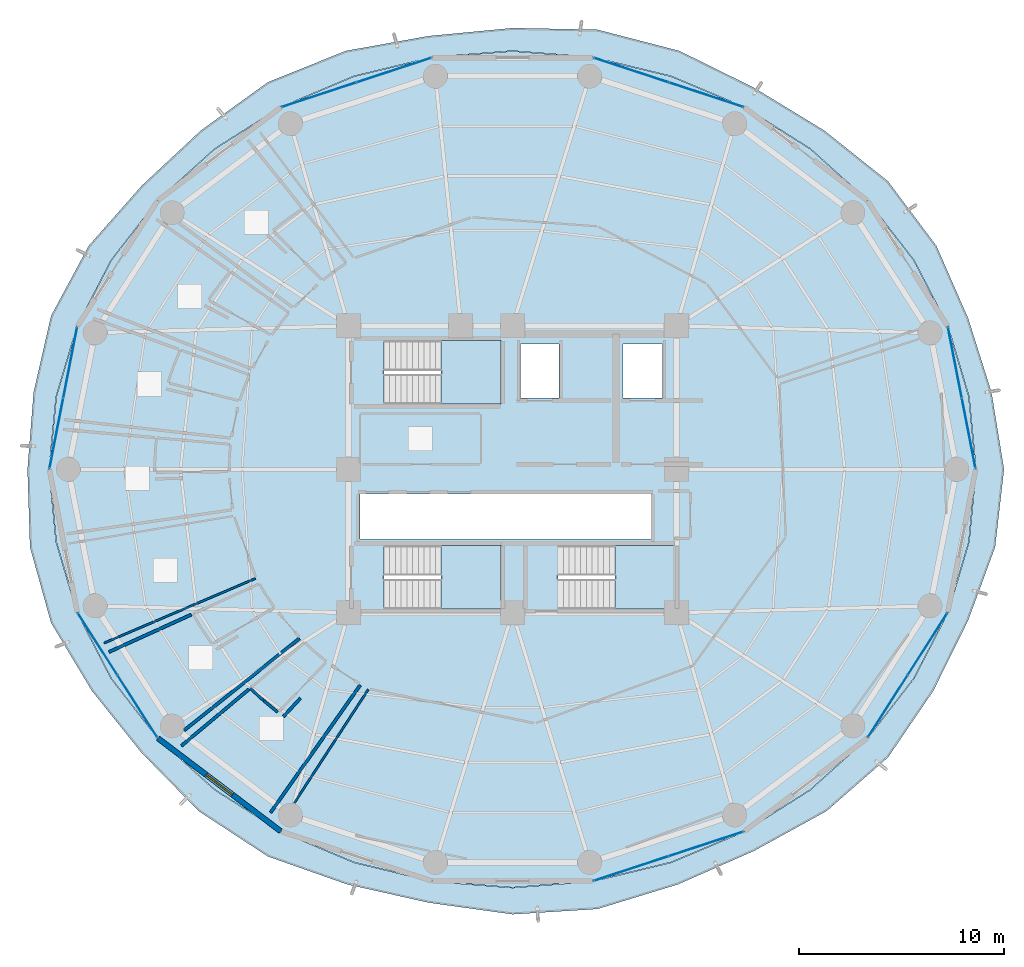
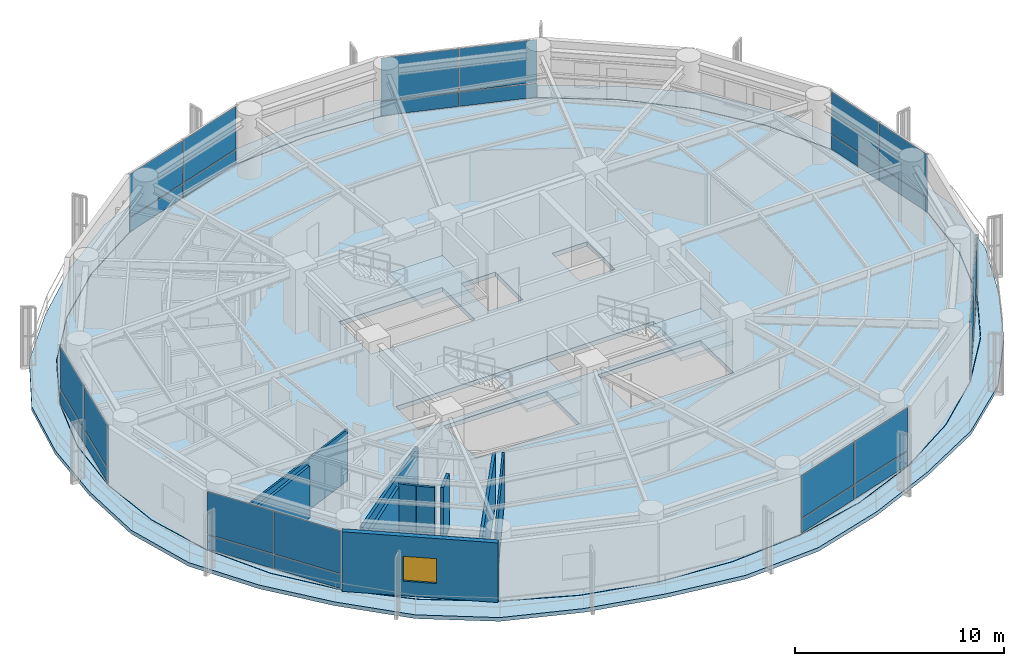
# One storey, part 20 of 27: 28 plates, 10 walls, 5 slabs, 1 window, 1 opening, 10 elements without a shape of their own.
"""IFC4 building model written with IfcOpenShell, lengths in metres."""

from ifc_helpers import new_model, si_unit, direction, frame, frame_2d, origin, origin_2d, place, context, subcontext, project, spatial, polyline, rectangle, outline, extrude, source, transform, mapped, material, layer, layer_set, type_object, element, fill, aggregate, save


model = new_model("IFC4")

# Units and contexts
model_context = context("Model", 3, precision=1e-05, world=origin(), true_north=direction((0.0, 1.0)))
body_context = subcontext(model_context, "Body", "Model", "MODEL_VIEW")
ifc_project = project(units=[si_unit("LENGTHUNIT", "METRE"), si_unit("AREAUNIT", "SQUARE_METRE"), si_unit("VOLUMEUNIT", "CUBIC_METRE"), si_unit("PLANEANGLEUNIT", "RADIAN"), si_unit("MASSUNIT", "GRAM", prefix="KILO")], contexts=[model_context])

# Site, building, storey
site_placement = place(None, origin())
site = spatial("IfcSite", under=ifc_project, at=site_placement, CompositionType="ELEMENT")
building_placement = place(site_placement, origin())
building = spatial("IfcBuilding", under=site, at=building_placement, Name="Kelanora Arch Commons", CompositionType="ELEMENT")
storey_placement = place(building_placement, frame((0.0, 0.0, 173.10009765625)))
storey = spatial("IfcBuildingStorey", under=building, at=storey_placement, Name="L44", CompositionType="ELEMENT", Elevation=173.10009765625)

# Stair, slab
ifc_material_1 = material(Name="Concrete C40/50", Category="concrete")
stair_type = type_object("IfcStairType", Name="STR-DL-375", PredefinedType="HALF_TURN_STAIR", material=ifc_material_1)
stair_1_placement = place(storey_placement, origin())
stair_1 = element("IfcStair", 1, at=stair_1_placement, inside=storey, type_object=stair_type, Name="L44 ST-T1", PredefinedType="HALF_TURN_STAIR")
ifc_layer_1 = layer(ifc_material_1, 0.199951171875)
ifc_layer_set_1 = layer_set([ifc_layer_1], Name="Concrete C40/50")
slab_type_1 = type_object("IfcSlabType", Name="SLB-STAIR-LND", PredefinedType="LANDING", material=ifc_layer_set_1)
slab_1_placement = place(storey_placement, frame((0.0, 0.0, 1.6748046875)))
slab_1 = element("IfcSlab", 2, at=slab_1_placement, type_object=slab_type_1, Name="ST-T1 landing 1", PredefinedType="LANDING", context=body_context, shape_type="SweptSolid", body=[
    extrude(outline(polyline([(70.52001953125, 61.179931640625), (73.43994140625, 61.179931640625), (73.43994140625, 64.2900390625), (70.52001953125, 64.2900390625), (70.52001953125, 61.179931640625)])), origin(), (0.0, 0.0, 1.0), 0.2001953125),
])
aggregate(stair_1, [slab_1])

stair_2_placement = place(storey_placement, origin())
stair_2 = element("IfcStair", 3, at=stair_2_placement, inside=storey, type_object=stair_type, Name="L44 ST-T2", PredefinedType="HALF_TURN_STAIR")
slab_2_placement = place(storey_placement, frame((0.0, 0.0, 1.6748046875)))
slab_2 = element("IfcSlab", 4, at=slab_2_placement, type_object=slab_type_1, Name="ST-T2 landing 1", PredefinedType="LANDING", context=body_context, shape_type="SweptSolid", body=[
    extrude(outline(polyline([(79.0, 51.179931640625), (81.919921875, 51.179931640625), (81.919921875, 54.2900390625), (79.0, 54.2900390625), (79.0, 51.179931640625)])), origin(), (0.0, 0.0, 1.0), 0.2001953125),
])
aggregate(stair_2, [slab_2])

stair_3_placement = place(storey_placement, origin())
stair_3 = element("IfcStair", 5, at=stair_3_placement, inside=storey, type_object=stair_type, Name="L44 ST-T3", PredefinedType="HALF_TURN_STAIR")
slab_3_placement = place(storey_placement, frame((0.0, 0.0, 1.6748046875)))
slab_3 = element("IfcSlab", 6, at=slab_3_placement, type_object=slab_type_1, Name="ST-T3 landing 1", PredefinedType="LANDING", context=body_context, shape_type="SweptSolid", body=[
    extrude(outline(polyline([(70.52001953125, 51.179931640625), (73.43994140625, 51.179931640625), (73.43994140625, 54.2900390625), (70.52001953125, 54.2900390625), (70.52001953125, 51.179931640625)])), origin(), (0.0, 0.0, 1.0), 0.2001953125),
])
aggregate(stair_3, [slab_3])

# Slabs
ifc_layer_2 = layer(ifc_material_1, 0.260009765625)
ifc_layer_set_2 = layer_set([ifc_layer_2], Name="Concrete C40/50")
slab_type_2 = type_object("IfcSlabType", Name="SLB-TWR-TYP", PredefinedType="FLOOR", material=ifc_layer_set_2)
slab_4_placement = place(storey_placement, frame((0.0, 0.0, -0.260009765625)))
element("IfcSlab", 7, at=slab_4_placement, inside=storey, type_object=slab_type_2, Name="Tower Floor Slab L44", PredefinedType="FLOOR", context=body_context, shape_type="SweptSolid", body=[
    extrude(outline(polyline([(96.60009765625, 58.0), (96.256591796875, 61.54248046875), (95.237060546875, 64.977294921875), (93.572265625, 68.199951171875), (91.3125, 71.11279296875), (88.527099609375, 73.627197265625), (85.300048828125, 75.6669921875), (81.729736328125, 77.169677734375), (77.92431640625, 78.090087890625), (74.0, 78.39990234375), (70.07568359375, 78.090087890625), (66.270263671875, 77.169677734375), (62.699951171875, 75.6669921875), (59.472900390625, 73.627197265625), (56.6875, 71.11279296875), (54.427734375, 68.199951171875), (52.762939453125, 64.977294921875), (51.743408203125, 61.54248046875), (51.39990234375, 58.0), (51.743408203125, 54.45751953125), (52.762939453125, 51.022705078125), (54.427734375, 47.800048828125), (56.6875, 44.88720703125), (59.472900390625, 42.372802734375), (62.699951171875, 40.3330078125), (66.270263671875, 38.830322265625), (70.07568359375, 37.909912109375), (74.0, 37.60009765625), (77.92431640625, 37.909912109375), (81.729736328125, 38.830322265625), (85.300048828125, 40.3330078125), (88.527099609375, 42.372802734375), (91.3125, 44.88720703125), (93.572265625, 47.800048828125), (95.237060546875, 51.022705078125), (96.256591796875, 54.45751953125), (96.60009765625, 58.0)]), holes=[polyline([(73.431884765625, 51.18798828125), (67.72802734375, 51.18798828125), (67.72802734375, 54.281982421875), (73.431884765625, 54.281982421875), (73.431884765625, 51.18798828125)]), polyline([(76.2080078125, 51.18798828125), (76.2080078125, 54.281982421875), (81.912109375, 54.281982421875), (81.912109375, 51.18798828125), (76.2080078125, 51.18798828125)]), polyline([(66.550048828125, 54.60009765625), (66.550048828125, 56.800048828125), (80.75, 56.800048828125), (80.75, 54.60009765625), (66.550048828125, 54.60009765625)]), polyline([(73.431884765625, 61.18798828125), (67.72802734375, 61.18798828125), (67.72802734375, 64.281982421875), (73.431884765625, 64.281982421875), (73.431884765625, 61.18798828125)]), polyline([(74.3798828125, 61.47998046875), (74.3798828125, 64.1201171875), (76.260009765625, 64.1201171875), (76.260009765625, 61.47998046875), (74.3798828125, 61.47998046875)]), polyline([(79.3798828125, 61.47998046875), (79.3798828125, 64.1201171875), (81.320068359375, 64.1201171875), (81.320068359375, 61.47998046875), (79.3798828125, 61.47998046875)])]), origin(), (0.0, 0.0, 1.0), 0.260009765625),
])
ifc_layer_3 = layer(ifc_material_1, 0.219970703125)
ifc_layer_set_3 = layer_set([ifc_layer_3], Name="Concrete C40/50")
slab_type_3 = type_object("IfcSlabType", Name="SLB-WAVE-BAL", PredefinedType="FLOOR", material=ifc_layer_set_3)
slab_5_placement = place(storey_placement, frame((0.0, 0.0, -0.22021484375)))
element("IfcSlab", 8, at=slab_5_placement, inside=storey, type_object=slab_type_3, Name="Sinusoidal Wave Balcony Slab L44", PredefinedType="FLOOR", context=body_context, shape_type="SweptSolid", body=[
    extrude(outline(polyline([(97.978515625, 58.0), (97.3681640625, 61.759521484375), (96.226318359375, 65.376220703125), (94.677734375, 68.9072265625), (92.322265625, 72.05126953125), (89.210693359375, 74.530029296875), (85.79296875, 76.61279296875), (82.139404296875, 78.41650390625), (78.14111328125, 79.451416015625), (74.0, 79.532470703125), (69.907958984375, 79.143310546875), (65.860595703125, 78.41650390625), (62.06298828125, 76.889404296875), (58.789306640625, 74.530029296875), (55.90625, 71.839111328125), (53.322265625, 68.9072265625), (51.484619140625, 65.49267578125), (50.6318359375, 61.759521484375), (50.33349609375, 58.0), (50.455078125, 54.205810546875), (51.484619140625, 50.50732421875), (53.473876953125, 47.189697265625), (55.90625, 44.160888671875), (58.6806640625, 41.326416015625), (62.06298828125, 39.110595703125), (65.9169921875, 37.75439453125), (69.907958984375, 36.856689453125), (74.0, 36.28759765625), (78.14111328125, 36.548583984375), (82.0830078125, 37.75439453125), (85.79296875, 39.38720703125), (89.3193359375, 41.326416015625), (92.322265625, 43.94873046875), (94.526123046875, 47.189697265625), (96.226318359375, 50.623779296875), (97.544921875, 54.205810546875), (97.978515625, 58.0)]), holes=[polyline([(96.2763671875, 54.4541015625), (95.255859375, 51.015869140625), (93.589599609375, 47.7900390625), (91.327880859375, 44.874267578125), (88.539794921875, 42.357421875), (85.31005859375, 40.31591796875), (81.736572265625, 38.8115234375), (77.927978515625, 37.89013671875), (74.0, 37.580078125), (70.072021484375, 37.89013671875), (66.263427734375, 38.8115234375), (62.68994140625, 40.31591796875), (59.460205078125, 42.357421875), (56.672119140625, 44.874267578125), (54.410400390625, 47.7900390625), (52.744140625, 51.015869140625), (51.7236328125, 54.4541015625), (51.3798828125, 58.0), (51.7236328125, 61.5458984375), (52.744140625, 64.984130859375), (54.410400390625, 68.2099609375), (56.672119140625, 71.125732421875), (59.460205078125, 73.642578125), (62.68994140625, 75.68408203125), (66.263427734375, 77.1884765625), (70.072021484375, 78.10986328125), (74.0, 78.419921875), (77.927978515625, 78.10986328125), (81.736572265625, 77.1884765625), (85.31005859375, 75.68408203125), (88.539794921875, 73.642578125), (91.327880859375, 71.125732421875), (93.589599609375, 68.2099609375), (95.255859375, 64.984130859375), (96.2763671875, 61.5458984375), (96.6201171875, 58.0), (96.2763671875, 54.4541015625)])]), origin(), (0.0, 0.0, 1.0), 0.22021484375),
])

# Curtain wall, plates
ifc_material_2 = material(Name="Terracotta ceramic-fritted low-E glass and aluminium", Category="masonry")
ifc_layer_4 = layer(ifc_material_2, 0.175048828125)
ifc_layer_set_4 = layer_set([ifc_layer_4], Name="Terracotta ceramic-fritted low-E glass and aluminium")
curtain_wall_type = type_object("IfcCurtainWallType", Name="CW-SYS-02", PredefinedType="NOTDEFINED", material=ifc_layer_set_4)
curtain_wall_1_placement = place(storey_placement, origin())
curtain_wall_1 = element("IfcCurtainWall", 9, at=curtain_wall_1_placement, inside=storey, type_object=curtain_wall_type, Name="Unitised Curtain Wall L44-B00", PredefinedType="NOTDEFINED")
ifc_material_3 = material(Name="Terracotta ceramic-fritted double glazing", Category="masonry")
ifc_layer_5 = layer(ifc_material_3, 0.028076171875)
ifc_layer_set_5 = layer_set([ifc_layer_5], Name="Terracotta ceramic-fritted double glazing")
plate_type = type_object("IfcPlateType", Name="CWP-FRIT", PredefinedType="CURTAIN_PANEL", material=ifc_layer_set_5)
shared_shape_1 = source(origin(), body_context, "Body", "SweptSolid", [
    extrude(rectangle(XDim=3.449462890625, YDim=0.028076171875, at=origin_2d()), origin(), (0.0, 0.0, 1.0), 0.81005859375),
])
plate_1_placement = place(storey_placement, frame((96.2548828125, 59.766357421875, 0.059814453125), z_axis=(0.0, 0.0, 1.0), x_axis=(-0.191705182375, 0.981452557718, 0.0)))
plate_1 = element("IfcPlate", 10, at=plate_1_placement, type_object=plate_type, Name="CW-02 panel 1.1", PredefinedType="CURTAIN_PANEL", context=body_context, shape_type="MappedRepresentation", body=[
    mapped(shared_shape_1, transform((0.0, 0.0, 0.0), scale=1.0)),
])
plate_2_placement = place(storey_placement, frame((95.58203125, 63.2109375, 0.059814453125), z_axis=(0.0, 0.0, 1.0), x_axis=(-0.191705182375, 0.981452557718, 0.0)))
plate_2 = element("IfcPlate", 11, at=plate_2_placement, type_object=plate_type, Name="CW-02 panel 2.1", PredefinedType="CURTAIN_PANEL", context=body_context, shape_type="MappedRepresentation", body=[
    mapped(shared_shape_1, transform((0.0, 0.0, 0.0), scale=1.0)),
])

curtain_wall_2_placement = place(storey_placement, origin())
curtain_wall_2 = element("IfcCurtainWall", 12, at=curtain_wall_2_placement, inside=storey, type_object=curtain_wall_type, Name="Unitised Curtain Wall L44-B08", PredefinedType="NOTDEFINED")
plate_3_placement = place(storey_placement, frame((52.41796875, 63.2109375, 0.059814453125), z_axis=(0.0, 0.0, 1.0), x_axis=(-0.191705182375, -0.981452557718, 0.0)))
plate_3 = element("IfcPlate", 13, at=plate_3_placement, type_object=plate_type, Name="CW-02 panel 1.1", PredefinedType="CURTAIN_PANEL", context=body_context, shape_type="MappedRepresentation", body=[
    mapped(shared_shape_1, transform((0.0, 0.0, 0.0), scale=1.0)),
])
plate_4_placement = place(storey_placement, frame((51.7451171875, 59.766357421875, 0.059814453125), z_axis=(0.0, 0.0, 1.0), x_axis=(-0.191705182375, -0.981452557718, 0.0)))
plate_4 = element("IfcPlate", 14, at=plate_4_placement, type_object=plate_type, Name="CW-02 panel 2.1", PredefinedType="CURTAIN_PANEL", context=body_context, shape_type="MappedRepresentation", body=[
    mapped(shared_shape_1, transform((0.0, 0.0, 0.0), scale=1.0)),
])

# Plate
shared_shape_2 = source(origin(), body_context, "Body", "SweptSolid", [
    extrude(rectangle(XDim=3.449462890625, YDim=0.028076171875, at=origin_2d()), origin(), (0.0, 0.0, 1.0), 2.485107421875),
])
plate_5_placement = place(storey_placement, frame((96.2548828125, 59.766357421875, 0.9296875), z_axis=(0.0, 0.0, 1.0), x_axis=(-0.191705182375, 0.981452557718, 0.0)))
plate_5 = element("IfcPlate", 15, at=plate_5_placement, type_object=plate_type, Name="CW-02 panel 1.2", PredefinedType="CURTAIN_PANEL", context=body_context, shape_type="MappedRepresentation", body=[
    mapped(shared_shape_2, transform((0.0, 0.0, 0.0), scale=1.0)),
])

plate_6_placement = place(storey_placement, frame((95.58203125, 63.2109375, 0.9296875), z_axis=(0.0, 0.0, 1.0), x_axis=(-0.191705182375, 0.981452557718, 0.0)))
plate_6 = element("IfcPlate", 16, at=plate_6_placement, type_object=plate_type, Name="CW-02 panel 2.2", PredefinedType="CURTAIN_PANEL", context=body_context, shape_type="MappedRepresentation", body=[
    mapped(shared_shape_2, transform((0.0, 0.0, 0.0), scale=1.0)),
])

aggregate(curtain_wall_1, [plate_1, plate_5, plate_2, plate_6])

plate_7_placement = place(storey_placement, frame((52.41796875, 63.2109375, 0.9296875), z_axis=(0.0, 0.0, 1.0), x_axis=(-0.191705182375, -0.981452557718, 0.0)))
plate_7 = element("IfcPlate", 17, at=plate_7_placement, type_object=plate_type, Name="CW-02 panel 1.2", PredefinedType="CURTAIN_PANEL", context=body_context, shape_type="MappedRepresentation", body=[
    mapped(shared_shape_2, transform((0.0, 0.0, 0.0), scale=1.0)),
])

plate_8_placement = place(storey_placement, frame((51.7451171875, 59.766357421875, 0.9296875), z_axis=(0.0, 0.0, 1.0), x_axis=(-0.191705182375, -0.981452557718, 0.0)))
plate_8 = element("IfcPlate", 18, at=plate_8_placement, type_object=plate_type, Name="CW-02 panel 2.2", PredefinedType="CURTAIN_PANEL", context=body_context, shape_type="MappedRepresentation", body=[
    mapped(shared_shape_2, transform((0.0, 0.0, 0.0), scale=1.0)),
])

aggregate(curtain_wall_2, [plate_3, plate_7, plate_4, plate_8])

# Curtain wall, plates
curtain_wall_3_placement = place(storey_placement, origin())
curtain_wall_3 = element("IfcCurtainWall", 19, at=curtain_wall_3_placement, inside=storey, type_object=curtain_wall_type, Name="Unitised Curtain Wall L44-B03", PredefinedType="NOTDEFINED")
shared_shape_3 = source(origin(), body_context, "Body", "SweptSolid", [
    extrude(rectangle(XDim=3.776611328125, YDim=0.028076171875, at=origin_2d()), origin(), (0.0, 0.0, 1.0), 0.81005859375),
])
plate_9_placement = place(storey_placement, frame((83.434814453125, 76.27978515625, 0.059814453125), z_axis=(0.0, 0.0, 1.0), x_axis=(-0.95003996605, 0.312128279571, 0.0)))
plate_9 = element("IfcPlate", 20, at=plate_9_placement, type_object=plate_type, Name="CW-02 panel 1.1", PredefinedType="CURTAIN_PANEL", context=body_context, shape_type="MappedRepresentation", body=[
    mapped(shared_shape_3, transform((0.0, 0.0, 0.0), scale=1.0)),
])
plate_10_placement = place(storey_placement, frame((79.789794921875, 77.477294921875, 0.059814453125), z_axis=(0.0, 0.0, 1.0), x_axis=(-0.95003996605, 0.312128279571, 0.0)))
plate_10 = element("IfcPlate", 21, at=plate_10_placement, type_object=plate_type, Name="CW-02 panel 2.1", PredefinedType="CURTAIN_PANEL", context=body_context, shape_type="MappedRepresentation", body=[
    mapped(shared_shape_3, transform((0.0, 0.0, 0.0), scale=1.0)),
])

curtain_wall_4_placement = place(storey_placement, origin())
curtain_wall_4 = element("IfcCurtainWall", 22, at=curtain_wall_4_placement, inside=storey, type_object=curtain_wall_type, Name="Unitised Curtain Wall L44-B05", PredefinedType="NOTDEFINED")
plate_11_placement = place(storey_placement, frame((68.210205078125, 77.477294921875, 0.059814453125), z_axis=(0.0, 0.0, 1.0), x_axis=(-0.95003996605, -0.312128279571, 0.0)))
plate_11 = element("IfcPlate", 23, at=plate_11_placement, type_object=plate_type, Name="CW-02 panel 1.1", PredefinedType="CURTAIN_PANEL", context=body_context, shape_type="MappedRepresentation", body=[
    mapped(shared_shape_3, transform((0.0, 0.0, 0.0), scale=1.0)),
])
plate_12_placement = place(storey_placement, frame((64.565185546875, 76.27978515625, 0.059814453125), z_axis=(0.0, 0.0, 1.0), x_axis=(-0.95003996605, -0.312128279571, 0.0)))
plate_12 = element("IfcPlate", 24, at=plate_12_placement, type_object=plate_type, Name="CW-02 panel 2.1", PredefinedType="CURTAIN_PANEL", context=body_context, shape_type="MappedRepresentation", body=[
    mapped(shared_shape_3, transform((0.0, 0.0, 0.0), scale=1.0)),
])

curtain_wall_5_placement = place(storey_placement, origin())
curtain_wall_5 = element("IfcCurtainWall", 25, at=curtain_wall_5_placement, inside=storey, type_object=curtain_wall_type, Name="Unitised Curtain Wall L44-B14", PredefinedType="NOTDEFINED")
plate_13_placement = place(storey_placement, frame((79.789794921875, 38.522705078125, 0.059814453125), z_axis=(0.0, 0.0, 1.0), x_axis=(0.95003996605, 0.312128279571, 0.0)))
plate_13 = element("IfcPlate", 26, at=plate_13_placement, type_object=plate_type, Name="CW-02 panel 1.1", PredefinedType="CURTAIN_PANEL", context=body_context, shape_type="MappedRepresentation", body=[
    mapped(shared_shape_3, transform((0.0, 0.0, 0.0), scale=1.0)),
])
plate_14_placement = place(storey_placement, frame((83.434814453125, 39.72021484375, 0.059814453125), z_axis=(0.0, 0.0, 1.0), x_axis=(0.95003996605, 0.312128279571, 0.0)))
plate_14 = element("IfcPlate", 27, at=plate_14_placement, type_object=plate_type, Name="CW-02 panel 2.1", PredefinedType="CURTAIN_PANEL", context=body_context, shape_type="MappedRepresentation", body=[
    mapped(shared_shape_3, transform((0.0, 0.0, 0.0), scale=1.0)),
])

# Plate
shared_shape_4 = source(origin(), body_context, "Body", "SweptSolid", [
    extrude(rectangle(XDim=3.776611328125, YDim=0.028076171875, at=origin_2d()), origin(), (0.0, 0.0, 1.0), 2.485107421875),
])
plate_15_placement = place(storey_placement, frame((83.434814453125, 76.27978515625, 0.9296875), z_axis=(0.0, 0.0, 1.0), x_axis=(-0.95003996605, 0.312128279571, 0.0)))
plate_15 = element("IfcPlate", 28, at=plate_15_placement, type_object=plate_type, Name="CW-02 panel 1.2", PredefinedType="CURTAIN_PANEL", context=body_context, shape_type="MappedRepresentation", body=[
    mapped(shared_shape_4, transform((0.0, 0.0, 0.0), scale=1.0)),
])

plate_16_placement = place(storey_placement, frame((79.789794921875, 77.477294921875, 0.9296875), z_axis=(0.0, 0.0, 1.0), x_axis=(-0.95003996605, 0.312128279571, 0.0)))
plate_16 = element("IfcPlate", 29, at=plate_16_placement, type_object=plate_type, Name="CW-02 panel 2.2", PredefinedType="CURTAIN_PANEL", context=body_context, shape_type="MappedRepresentation", body=[
    mapped(shared_shape_4, transform((0.0, 0.0, 0.0), scale=1.0)),
])

aggregate(curtain_wall_3, [plate_9, plate_15, plate_10, plate_16])

plate_17_placement = place(storey_placement, frame((68.210205078125, 77.477294921875, 0.9296875), z_axis=(0.0, 0.0, 1.0), x_axis=(-0.95003996605, -0.312128279571, 0.0)))
plate_17 = element("IfcPlate", 30, at=plate_17_placement, type_object=plate_type, Name="CW-02 panel 1.2", PredefinedType="CURTAIN_PANEL", context=body_context, shape_type="MappedRepresentation", body=[
    mapped(shared_shape_4, transform((0.0, 0.0, 0.0), scale=1.0)),
])

plate_18_placement = place(storey_placement, frame((64.565185546875, 76.27978515625, 0.9296875), z_axis=(0.0, 0.0, 1.0), x_axis=(-0.95003996605, -0.312128279571, 0.0)))
plate_18 = element("IfcPlate", 31, at=plate_18_placement, type_object=plate_type, Name="CW-02 panel 2.2", PredefinedType="CURTAIN_PANEL", context=body_context, shape_type="MappedRepresentation", body=[
    mapped(shared_shape_4, transform((0.0, 0.0, 0.0), scale=1.0)),
])

aggregate(curtain_wall_4, [plate_11, plate_17, plate_12, plate_18])

plate_19_placement = place(storey_placement, frame((79.789794921875, 38.522705078125, 0.9296875), z_axis=(0.0, 0.0, 1.0), x_axis=(0.95003996605, 0.312128279571, 0.0)))
plate_19 = element("IfcPlate", 32, at=plate_19_placement, type_object=plate_type, Name="CW-02 panel 1.2", PredefinedType="CURTAIN_PANEL", context=body_context, shape_type="MappedRepresentation", body=[
    mapped(shared_shape_4, transform((0.0, 0.0, 0.0), scale=1.0)),
])

plate_20_placement = place(storey_placement, frame((83.434814453125, 39.72021484375, 0.9296875), z_axis=(0.0, 0.0, 1.0), x_axis=(0.95003996605, 0.312128279571, 0.0)))
plate_20 = element("IfcPlate", 33, at=plate_20_placement, type_object=plate_type, Name="CW-02 panel 2.2", PredefinedType="CURTAIN_PANEL", context=body_context, shape_type="MappedRepresentation", body=[
    mapped(shared_shape_4, transform((0.0, 0.0, 0.0), scale=1.0)),
])

aggregate(curtain_wall_5, [plate_13, plate_19, plate_14, plate_20])

# Curtain wall, plates
curtain_wall_6_placement = place(storey_placement, origin())
curtain_wall_6 = element("IfcCurtainWall", 34, at=curtain_wall_6_placement, inside=storey, type_object=curtain_wall_type, Name="Unitised Curtain Wall L44-B10", PredefinedType="NOTDEFINED")
shared_shape_5 = source(origin(), body_context, "Body", "SweptSolid", [
    extrude(rectangle(XDim=3.53662109375, YDim=0.028076171875, at=origin_2d()), origin(), (0.0, 0.0, 1.0), 0.81005859375),
])
plate_21_placement = place(storey_placement, frame((53.756103515625, 49.469970703125, 0.059814453125), z_axis=(0.0, 0.0, 1.0), x_axis=(0.538816988983, -0.842422846546, 0.0)))
plate_21 = element("IfcPlate", 35, at=plate_21_placement, type_object=plate_type, Name="CW-02 panel 1.1", PredefinedType="CURTAIN_PANEL", context=body_context, shape_type="MappedRepresentation", body=[
    mapped(shared_shape_5, transform((0.0, 0.0, 0.0), scale=1.0)),
])
plate_22_placement = place(storey_placement, frame((55.694091796875, 46.43994140625, 0.059814453125), z_axis=(0.0, 0.0, 1.0), x_axis=(0.538816988983, -0.842422846546, 0.0)))
plate_22 = element("IfcPlate", 36, at=plate_22_placement, type_object=plate_type, Name="CW-02 panel 2.1", PredefinedType="CURTAIN_PANEL", context=body_context, shape_type="MappedRepresentation", body=[
    mapped(shared_shape_5, transform((0.0, 0.0, 0.0), scale=1.0)),
])

curtain_wall_7_placement = place(storey_placement, origin())
curtain_wall_7 = element("IfcCurtainWall", 37, at=curtain_wall_7_placement, inside=storey, type_object=curtain_wall_type, Name="Unitised Curtain Wall L44-B16", PredefinedType="NOTDEFINED")
plate_23_placement = place(storey_placement, frame((92.305908203125, 46.43994140625, 0.059814453125), z_axis=(0.0, 0.0, 1.0), x_axis=(0.538816988983, 0.842422846546, 0.0)))
plate_23 = element("IfcPlate", 38, at=plate_23_placement, type_object=plate_type, Name="CW-02 panel 1.1", PredefinedType="CURTAIN_PANEL", context=body_context, shape_type="MappedRepresentation", body=[
    mapped(shared_shape_5, transform((0.0, 0.0, 0.0), scale=1.0)),
])
plate_24_placement = place(storey_placement, frame((94.243896484375, 49.469970703125, 0.059814453125), z_axis=(0.0, 0.0, 1.0), x_axis=(0.538816988983, 0.842422846546, 0.0)))
plate_24 = element("IfcPlate", 39, at=plate_24_placement, type_object=plate_type, Name="CW-02 panel 2.1", PredefinedType="CURTAIN_PANEL", context=body_context, shape_type="MappedRepresentation", body=[
    mapped(shared_shape_5, transform((0.0, 0.0, 0.0), scale=1.0)),
])

# Plate
shared_shape_6 = source(origin(), body_context, "Body", "SweptSolid", [
    extrude(rectangle(XDim=3.53662109375, YDim=0.028076171875, at=origin_2d()), origin(), (0.0, 0.0, 1.0), 2.485107421875),
])
plate_25_placement = place(storey_placement, frame((53.756103515625, 49.469970703125, 0.9296875), z_axis=(0.0, 0.0, 1.0), x_axis=(0.538816988983, -0.842422846546, 0.0)))
plate_25 = element("IfcPlate", 40, at=plate_25_placement, type_object=plate_type, Name="CW-02 panel 1.2", PredefinedType="CURTAIN_PANEL", context=body_context, shape_type="MappedRepresentation", body=[
    mapped(shared_shape_6, transform((0.0, 0.0, 0.0), scale=1.0)),
])

plate_26_placement = place(storey_placement, frame((55.694091796875, 46.43994140625, 0.9296875), z_axis=(0.0, 0.0, 1.0), x_axis=(0.538816988983, -0.842422846546, 0.0)))
plate_26 = element("IfcPlate", 41, at=plate_26_placement, type_object=plate_type, Name="CW-02 panel 2.2", PredefinedType="CURTAIN_PANEL", context=body_context, shape_type="MappedRepresentation", body=[
    mapped(shared_shape_6, transform((0.0, 0.0, 0.0), scale=1.0)),
])

aggregate(curtain_wall_6, [plate_21, plate_25, plate_22, plate_26])

plate_27_placement = place(storey_placement, frame((92.305908203125, 46.43994140625, 0.9296875), z_axis=(0.0, 0.0, 1.0), x_axis=(0.538816988983, 0.842422846546, 0.0)))
plate_27 = element("IfcPlate", 42, at=plate_27_placement, type_object=plate_type, Name="CW-02 panel 1.2", PredefinedType="CURTAIN_PANEL", context=body_context, shape_type="MappedRepresentation", body=[
    mapped(shared_shape_6, transform((0.0, 0.0, 0.0), scale=1.0)),
])

plate_28_placement = place(storey_placement, frame((94.243896484375, 49.469970703125, 0.9296875), z_axis=(0.0, 0.0, 1.0), x_axis=(0.538816988983, 0.842422846546, 0.0)))
plate_28 = element("IfcPlate", 43, at=plate_28_placement, type_object=plate_type, Name="CW-02 panel 2.2", PredefinedType="CURTAIN_PANEL", context=body_context, shape_type="MappedRepresentation", body=[
    mapped(shared_shape_6, transform((0.0, 0.0, 0.0), scale=1.0)),
])

aggregate(curtain_wall_7, [plate_23, plate_27, plate_24, plate_28])

# Walls
ifc_material_4 = material(Name="Autoclaved aerated concrete blockwork with fire plaster", Category="masonry")
ifc_layer_6 = layer(ifc_material_4, 0.14990234375)
ifc_layer_set_6 = layer_set([ifc_layer_6], Name="Autoclaved aerated concrete blockwork with fire plaster")
wall_type_1 = type_object("IfcWallType", Name="W-COMP-150", PredefinedType="PARTITIONING", material=ifc_layer_set_6)
wall_1_placement = place(storey_placement, frame((63.601806640625, 49.748046875, 0.0), z_axis=(0.0, 0.0, 1.0), x_axis=(-0.781921185322, -0.623377301435, 0.0)))
element("IfcWall", 44, at=wall_1_placement, inside=storey, type_object=wall_type_1, Name="Cluster Bedroom L44-06 Enclosure Partition 2", PredefinedType="PARTITIONING", context=body_context, shape_type="SweptSolid", body=[
    extrude(rectangle(XDim=7.189697265625, YDim=0.14990234375, at=frame_2d((3.5947265625, 0.0))), origin(), (0.0, 0.0, 1.0), 2.974853515625),
])
wall_2_placement = place(storey_placement, frame((54.308349609375, 49.08837890625, 0.0), z_axis=(0.0, 0.0, 1.0), x_axis=(0.910561522486, 0.413373576524, 0.0)))
element("IfcWall", 45, at=wall_2_placement, inside=storey, type_object=wall_type_1, Name="Cluster Bedroom L44-06 Enclosure Partition 5", PredefinedType="PARTITIONING", context=body_context, shape_type="SweptSolid", body=[
    extrude(rectangle(XDim=4.4130859375, YDim=0.14990234375, at=frame_2d((2.20654296875, 0.0))), origin(), (0.0, 0.0, 1.0), 3.02490234375),
])
wall_3_placement = place(storey_placement, frame((66.56689453125, 47.472412109375, 0.0), z_axis=(0.0, 0.0, 1.0), x_axis=(-0.575029116879, -0.818132944417, 0.0)))
element("IfcWall", 46, at=wall_3_placement, inside=storey, type_object=wall_type_1, Name="Cluster Bedroom L44-07 Enclosure Partition 2", PredefinedType="PARTITIONING", context=body_context, shape_type="SweptSolid", body=[
    extrude(rectangle(XDim=7.6083984375, YDim=0.14990234375, at=frame_2d((3.80419921875, 0.0))), origin(), (0.0, 0.0, 1.0), 2.974853515625),
])
wall_4_placement = place(storey_placement, frame((57.8408203125, 44.5078125, 0.0), z_axis=(0.0, 0.0, 1.0), x_axis=(0.766673820116, 0.642036800774, 0.0)))
element("IfcWall", 47, at=wall_4_placement, inside=storey, type_object=wall_type_1, Name="Cluster Bedroom L44-07 Enclosure Partition 5", PredefinedType="PARTITIONING", context=body_context, shape_type="SweptSolid", body=[
    extrude(rectangle(XDim=4.299560546875, YDim=0.14990234375, at=frame_2d((2.14990234375, 0.0))), origin(), (0.0, 0.0, 1.0), 3.02490234375),
])
wall_5_placement = place(storey_placement, frame((62.821044921875, 45.935302734375, 0.0), z_axis=(0.0, 0.0, 1.0), x_axis=(0.678404878428, 0.734688247439, 0.0)))
element("IfcWall", 48, at=wall_5_placement, inside=storey, type_object=wall_type_1, Name="Cluster Bedroom L44-07 Enclosure Partition 7", PredefinedType="PARTITIONING", context=body_context, shape_type="SweptSolid", body=[
    extrude(rectangle(XDim=1.218994140625, YDim=0.14990234375, at=frame_2d((0.609375, 0.0))), origin(), (0.0, 0.0, 1.0), 3.1748046875),
])

# Wall, opening, window
ifc_material_5 = material(Name="Precast concrete C40/50 with terracotta rainscreen", Category="masonry")
ifc_layer_7 = layer(ifc_material_5, 0.260009765625)
ifc_layer_set_7 = layer_set([ifc_layer_7], Name="Precast concrete C40/50 with terracotta rainscreen")
wall_type_2 = type_object("IfcWallType", Name="W-EXT-TC", PredefinedType="SOLIDWALL", material=ifc_layer_set_7)
wall_6_placement = place(storey_placement, frame((56.699462890625, 44.8779296875, 0.0), z_axis=(0.0, 0.0, 1.0), x_axis=(0.797163719609, -0.603763202042, 0.0)))
wall_6 = element("IfcWall", 49, at=wall_6_placement, inside=storey, type_object=wall_type_2, Name="Terracotta Exterior Wall L44-B11", PredefinedType="SOLIDWALL", context=body_context, shape_type="SweptSolid", body=[
    extrude(rectangle(XDim=7.51220703125, YDim=0.260009765625, at=frame_2d((3.756103515625, 0.0))), origin(), (0.0, 0.0, 1.0), 3.474853515625),
])
opening_placement = place(wall_6_placement, frame((2.9560546875, 0.0, 0.85009765625)))
opening = element("IfcOpeningElement", 50, at=opening_placement, cuts=wall_6, Name="Opening WN-01", PredefinedType="OPENING", context=body_context, shape_type="SweptSolid", body=[
    extrude(rectangle(XDim=1.60009765625, YDim=1.449951171875, at=frame_2d((0.800048828125, 0.72509765625))), frame((0.0, 0.14013671875, 0.0), z_axis=(0.0, -1.0, 0.0), x_axis=(1.0, 0.0, 0.0)), (0.0, 0.0, 1.0), 0.280029296875),
])
ifc_material_6 = material(Name="Terracotta-anodised aluminium frame with operable low-E glazing", Category="masonry")
window_type = type_object("IfcWindowType", Name="WIN-CL-18", PartitioningType="DOUBLE_PANEL_VERTICAL", PredefinedType="WINDOW", material=ifc_material_6)
window_placement = place(opening_placement, origin())
window = element("IfcWindow", 51, at=window_placement, inside=storey, type_object=window_type, Name="Co-Living Operable Window L44-B11", OverallHeight=1.449951171875, OverallWidth=1.60009765625, PartitioningType="SINGLE_PANEL", PredefinedType="WINDOW", context=body_context, shape_type="SweptSolid", body=[
    extrude(rectangle(XDim=1.60009765625, YDim=1.449951171875, at=frame_2d((0.800048828125, 0.72509765625))), frame((0.0, 0.030029296875, 0.0), z_axis=(0.0, -1.0, 0.0), x_axis=(1.0, 0.0, 0.0)), (0.0, 0.0, 1.0), 0.06005859375),
])
fill(opening, window)

# Walls
ifc_material_7 = material(Name="Lightweight fire-rated acoustic stud partition")
ifc_layer_8 = layer(ifc_material_7, 0.10009765625)
ifc_layer_set_8 = layer_set([ifc_layer_8], Name="Lightweight fire-rated acoustic stud partition")
wall_type_3 = type_object("IfcWallType", Name="W-PART-100", PredefinedType="PARTITIONING", material=ifc_layer_set_8)
wall_7_placement = place(storey_placement, frame((63.35107421875, 41.724853515625, 0.0), z_axis=(0.0, 0.0, 1.0), x_axis=(0.546294843463, 0.837592946487, 0.0)))
element("IfcWall", 52, at=wall_7_placement, inside=storey, type_object=wall_type_3, Name="South-East Shared Study Commons L44 Enclosure Partition 10", PredefinedType="PARTITIONING", context=body_context, shape_type="SweptSolid", body=[
    extrude(rectangle(XDim=6.604248046875, YDim=0.10009765625, at=frame_2d((3.30224609375, 0.0))), origin(), (0.0, 0.0, 1.0), 2.974853515625),
])
wall_8_placement = place(storey_placement, frame((61.458251953125, 52.67529296875, 0.0), z_axis=(0.0, 0.0, 1.0), x_axis=(-0.919801141081, -0.392384837713, 0.0)))
element("IfcWall", 53, at=wall_8_placement, inside=storey, type_object=wall_type_3, Name="Shared Cluster Kitchen L44-05 Enclosure Partition 2", PredefinedType="PARTITIONING", context=body_context, shape_type="SweptSolid", body=[
    extrude(rectangle(XDim=8.029541015625, YDim=0.10009765625, at=frame_2d((4.0146484375, 0.0))), origin(), (0.0, 0.0, 1.0), 2.974853515625),
])
ifc_material_8 = material(Name="Moisture-resistant fire-rated cement-board plumbing wall")
ifc_layer_9 = layer(ifc_material_8, 0.1298828125)
ifc_layer_set_9 = layer_set([ifc_layer_9], Name="Moisture-resistant fire-rated cement-board plumbing wall")
wall_type_4 = type_object("IfcWallType", Name="W-WET-120", PredefinedType="PLUMBINGWALL", material=ifc_layer_set_9)
wall_9_placement = place(storey_placement, frame((62.53759765625, 46.15380859375, 0.0), z_axis=(0.0, 0.0, 1.0), x_axis=(-0.772085608201, 0.635518539154, 0.0)))
element("IfcWall", 54, at=wall_9_placement, inside=storey, type_object=wall_type_4, Name="En-Suite Shower WC L44-07 Enclosure Partition 4", PredefinedType="PLUMBINGWALL", context=body_context, shape_type="SweptSolid", body=[
    extrude(rectangle(XDim=0.861572265625, YDim=0.1298828125, at=frame_2d((0.4306640625, 0.0))), origin(), (0.0, 0.0, 1.0), 3.1748046875),
])
wall_10_placement = place(storey_placement, frame((61.84228515625, 46.7275390625, 0.0), z_axis=(0.0, 0.0, 1.0), x_axis=(-0.735982119843, 0.67700097435, 0.0)))
element("IfcWall", 55, at=wall_10_placement, inside=storey, type_object=wall_type_4, Name="En-Suite Shower WC L44-07 Enclosure Partition 5", PredefinedType="PLUMBINGWALL", context=body_context, shape_type="SweptSolid", body=[
    extrude(rectangle(XDim=0.85693359375, YDim=0.1298828125, at=frame_2d((0.428466796875, 0.0))), origin(), (0.0, 0.0, 1.0), 3.1748046875),
])

save(model, "model.ifc")
